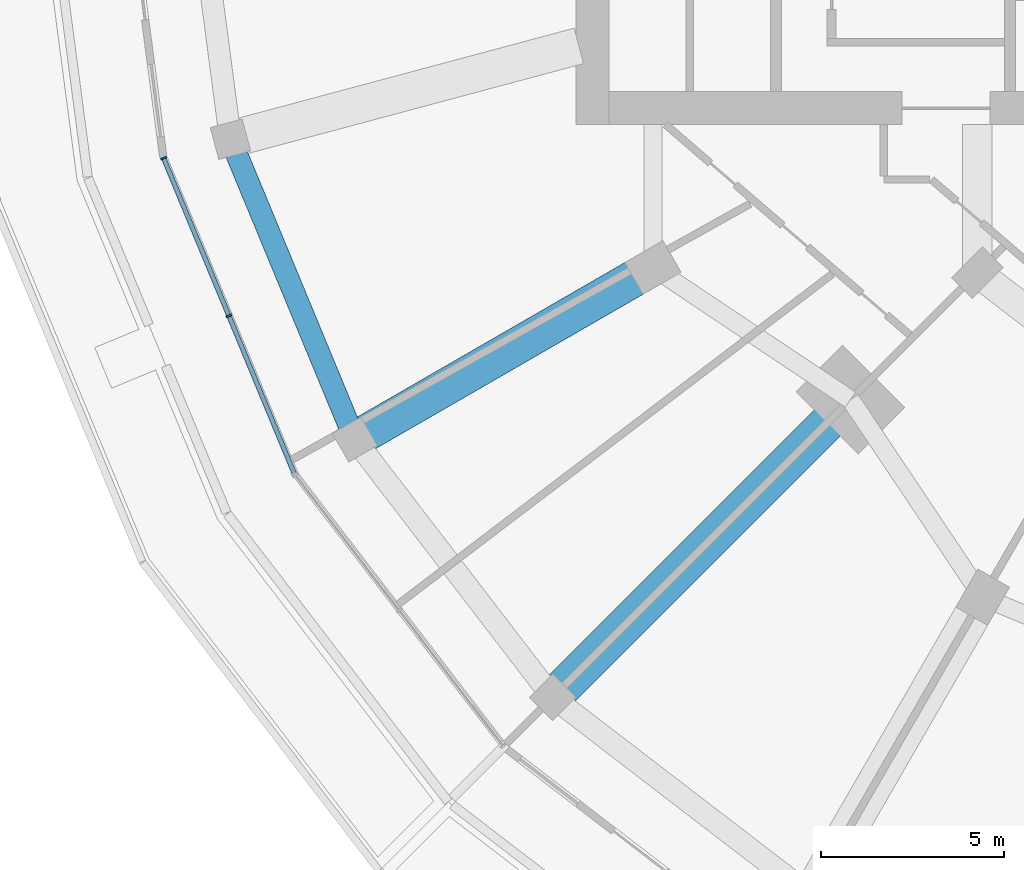
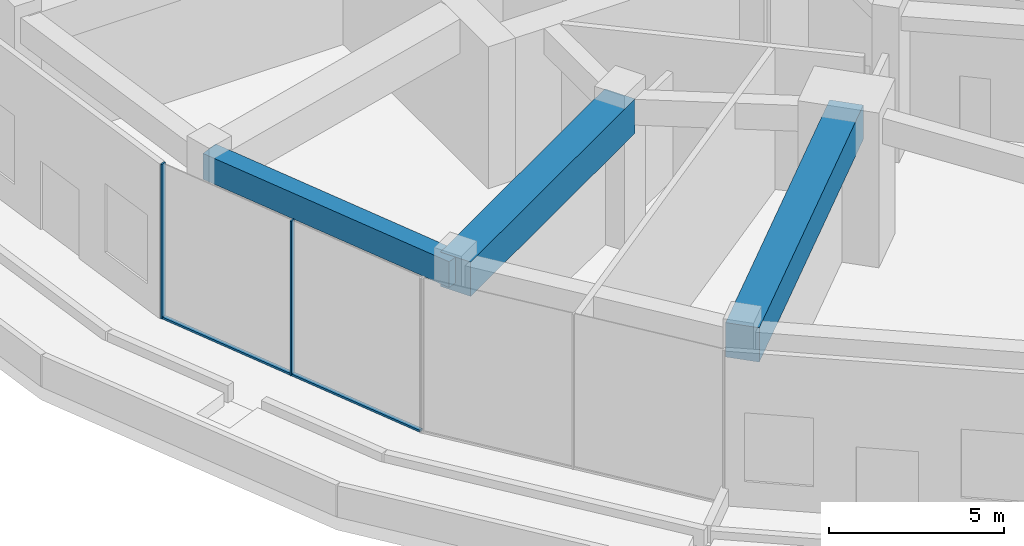
# One storey, part 3 of 26: 4 members, 3 beams, 1 element without a shape of its own.
"""IFC4 building model written with IfcOpenShell, lengths in metres."""

from ifc_helpers import new_model, si_unit, direction, frame, origin, origin_2d, place, context, subcontext, project, spatial, rectangle, extrude, material, layer, layer_set, material_profile, profile_set, type_object, element, aggregate, save


model = new_model("IFC4")

# Units and contexts
model_context = context("Model", 3, precision=1e-05, world=origin(), true_north=direction((0.0, 1.0)))
body_context = subcontext(model_context, "Body", "Model", "MODEL_VIEW")
ifc_project = project(units=[si_unit("LENGTHUNIT", "METRE"), si_unit("AREAUNIT", "SQUARE_METRE"), si_unit("VOLUMEUNIT", "CUBIC_METRE"), si_unit("PLANEANGLEUNIT", "RADIAN"), si_unit("MASSUNIT", "GRAM", prefix="KILO")], contexts=[model_context])

# Site, building, storey
site_placement = place(None, origin())
site = spatial("IfcSite", under=ifc_project, at=site_placement, CompositionType="ELEMENT")
building_placement = place(site_placement, origin())
building = spatial("IfcBuilding", under=site, at=building_placement, Name="Torre Brocal", CompositionType="ELEMENT")
storey_placement = place(building_placement, frame((0.0, 0.0, 12.39990234375)))
storey = spatial("IfcBuildingStorey", under=building, at=storey_placement, Name="L02", CompositionType="ELEMENT", Elevation=12.39990234375)

# Curtain wall, members
ifc_material_1 = material(Name="Aluminium and glass", Category="aluminium")
ifc_layer = layer(ifc_material_1, 0.199951171875)
ifc_layer_set = layer_set([ifc_layer], Name="Aluminium and glass")
curtain_wall_type = type_object("IfcCurtainWallType", Name="CW-6 CURTAIN WALL 5400 HIGH", PredefinedType="NOTDEFINED", material=ifc_layer_set)
curtain_wall_placement = place(storey_placement, origin())
curtain_wall = element("IfcCurtainWall", 1, at=curtain_wall_placement, inside=storey, type_object=curtain_wall_type, Name="CW-6 RUN 14", PredefinedType="NOTDEFINED")
ifc_material_2 = material(Name="Aluminium, dark anodised", Category="aluminium")
ifc_material_profile_1 = material_profile(ifc_material_2, rectangle(XDim=0.159912109375, YDim=0.050048828125, at=origin_2d()), Name="CW-6 MULLION 50X160")
ifc_profile_set_1 = profile_set([ifc_material_profile_1], Name="Aluminium, dark anodised")
member_type_1 = type_object("IfcMemberType", Name="CW-6 MULLION 50X160", PredefinedType="MULLION", material=ifc_profile_set_1)
member_1_placement = place(storey_placement, frame((45.333740234375, 65.685546875, 0.0), z_axis=(0.0, 0.0, 1.0), x_axis=(0.923879532525, 0.382683432333, 0.0)))
member_1 = element("IfcMember", 2, at=member_1_placement, type_object=member_type_1, Name="CW6-1 mullion 1", PredefinedType="MULLION", context=body_context, shape_type="SweptSolid", body=[
    extrude(rectangle(XDim=0.159912109375, YDim=0.050048828125, at=origin_2d()), origin(), (0.0, 0.0, 1.0), 5.400146484375),
])
member_2_placement = place(storey_placement, frame((47.1171875, 61.379638671875, 0.0), z_axis=(0.0, 0.0, 1.0), x_axis=(0.923879532525, 0.382683432333, 0.0)))
member_2 = element("IfcMember", 3, at=member_2_placement, type_object=member_type_1, Name="CW6-1 mullion 2", PredefinedType="MULLION", context=body_context, shape_type="SweptSolid", body=[
    extrude(rectangle(XDim=0.159912109375, YDim=0.050048828125, at=origin_2d()), origin(), (0.0, 0.0, 1.0), 5.400146484375),
])
ifc_material_3 = material(Name="Aluminium, dark anodised", Category="aluminium")
ifc_material_profile_2 = material_profile(ifc_material_3, rectangle(XDim=0.1298828125, YDim=0.070068359375, at=origin_2d()), Name="CW-6 TRANSOM 130X70")
ifc_profile_set_2 = profile_set([ifc_material_profile_2], Name="Aluminium, dark anodised")
member_type_2 = type_object("IfcMemberType", Name="CW-6 TRANSOM 130X70", PredefinedType="USERDEFINED", material=ifc_profile_set_2)
member_3_placement = place(storey_placement, frame((45.34326171875, 65.662353515625, 0.03515625), z_axis=(0.382674472816, -0.923883243627, 0.0), x_axis=(0.923883243627, 0.382674472816, 0.0)))
member_3 = element("IfcMember", 4, at=member_3_placement, type_object=member_type_2, Name="CW6-1 transom 1.1", ObjectType="TRANSOM", PredefinedType="USERDEFINED", context=body_context, shape_type="SweptSolid", body=[
    extrude(rectangle(XDim=0.1298828125, YDim=0.070068359375, at=origin_2d()), origin(), (0.0, 0.0, 1.0), 4.61083984375),
])
member_4_placement = place(storey_placement, frame((47.126953125, 61.3564453125, 0.03515625), z_axis=(0.382674472816, -0.923883243627, 0.0), x_axis=(0.923883243627, 0.382674472816, 0.0)))
member_4 = element("IfcMember", 5, at=member_4_placement, type_object=member_type_2, Name="CW6-1 transom 2.1", ObjectType="TRANSOM", PredefinedType="USERDEFINED", context=body_context, shape_type="SweptSolid", body=[
    extrude(rectangle(XDim=0.1298828125, YDim=0.070068359375, at=origin_2d()), origin(), (0.0, 0.0, 1.0), 4.61083984375),
])
aggregate(curtain_wall, [member_1, member_2, member_3, member_4])

# Beams
ifc_material_4 = material(Name="Concrete C50", Category="concrete")
ifc_material_profile_3 = material_profile(ifc_material_4, rectangle(XDim=0.60009765625, YDim=0.89990234375, at=origin_2d()), Name="RC 600X900")
ifc_profile_set_3 = profile_set([ifc_material_profile_3], Name="Concrete C50")
beam_type_1 = type_object("IfcBeamType", Name="RC BEAM 600X900 C50 TOP 4950", PredefinedType="BEAM", material=ifc_profile_set_3)
beam_1_placement = place(storey_placement, frame((47.158447265625, 66.2001953125, 4.5), z_axis=(0.382692703012, -0.923875692429, 0.0), x_axis=(0.923875692429, 0.382692703012, 0.0)))
element("IfcBeam", 6, at=beam_1_placement, inside=storey, type_object=beam_type_1, Name="Beam BT-10", PredefinedType="BEAM", context=body_context, shape_type="SweptSolid", body=[
    extrude(rectangle(XDim=0.60009765625, YDim=0.89990234375, at=origin_2d()), origin(), (0.0, 0.0, 1.0), 8.8759765625),
])
ifc_material_5 = material(Name="Concrete C60", Category="concrete")
ifc_material_profile_4 = material_profile(ifc_material_5, rectangle(XDim=1.0, YDim=1.199951171875, at=origin_2d()), Name="RC 1000X1200")
ifc_profile_set_4 = profile_set([ifc_material_profile_4], Name="Concrete C60")
beam_type_2 = type_object("IfcBeamType", Name="RC TRANSFER GIRDER 1000X1200 C60 TOP 4950", PredefinedType="BEAM", material=ifc_profile_set_4)
beam_2_placement = place(storey_placement, frame((58.69580078125, 62.699951171875, 4.35009765625), z_axis=(-0.866027286158, -0.499996739618, 0.0), x_axis=(0.499996739618, -0.866027286158, 0.0)))
element("IfcBeam", 7, at=beam_2_placement, inside=storey, type_object=beam_type_2, Name="Beam TG-03", PredefinedType="BEAM", context=body_context, shape_type="SweptSolid", body=[
    extrude(rectangle(XDim=1.0, YDim=1.199951171875, at=origin_2d()), origin(), (0.0, 0.0, 1.0), 9.39990234375),
])
beam_3_placement = place(storey_placement, frame((64.090087890625, 59.090087890625, 4.35009765625), z_axis=(-0.707106781187, -0.707106781187, 0.0), x_axis=(0.707106781187, -0.707106781187, 0.0)))
element("IfcBeam", 8, at=beam_3_placement, inside=storey, type_object=beam_type_2, Name="Beam TG-03", PredefinedType="BEAM", context=body_context, shape_type="SweptSolid", body=[
    extrude(rectangle(XDim=1.0, YDim=1.199951171875, at=origin_2d()), origin(), (0.0, 0.0, 1.0), 11.500244140625),
])

save(model, "model.ifc")
